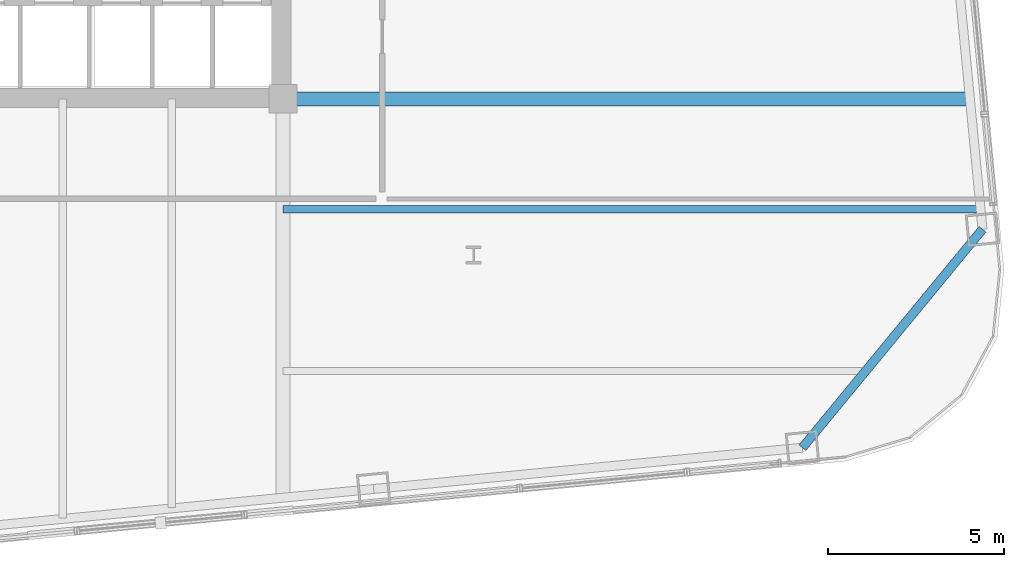
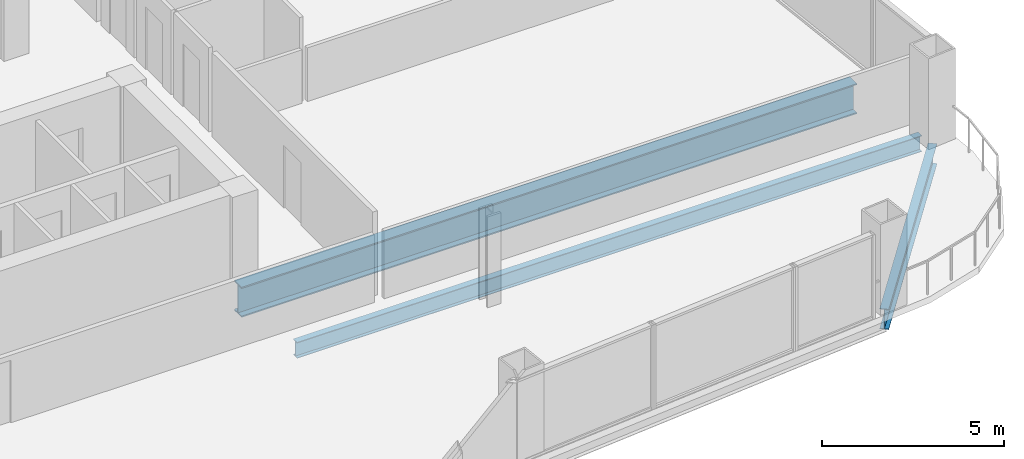
# One storey, part 10 of 27: 3 beams.
"""IFC4 building model written with IfcOpenShell, lengths in metres."""

from ifc_helpers import new_model, si_unit, direction, frame, origin, origin_2d, place, context, subcontext, project, spatial, i_section, extrude, material, material_profile, profile_set, type_object, element, save


model = new_model("IFC4")

# Units and contexts
model_context = context("Model", 3, precision=1e-05, world=origin(), true_north=direction((0.0, 1.0)))
body_context = subcontext(model_context, "Body", "Model", "MODEL_VIEW")
ifc_project = project(units=[si_unit("LENGTHUNIT", "METRE"), si_unit("AREAUNIT", "SQUARE_METRE"), si_unit("VOLUMEUNIT", "CUBIC_METRE"), si_unit("PLANEANGLEUNIT", "RADIAN"), si_unit("MASSUNIT", "GRAM", prefix="KILO")], contexts=[model_context])

# Site, building, storey
site_placement = place(None, origin())
site = spatial("IfcSite", under=ifc_project, at=site_placement, CompositionType="ELEMENT")
building_placement = place(site_placement, origin())
building = spatial("IfcBuilding", under=site, at=building_placement, Name="Qhalaya Broadcast Tower", CompositionType="ELEMENT")
storey_placement = place(building_placement, frame((0.0, 0.0, 75.550048828125)))
storey = spatial("IfcBuildingStorey", under=building, at=storey_placement, Name="L21", CompositionType="ELEMENT", Elevation=75.550048828125)

# Beams
ifc_material = material(Name="Structural Steel ASTM A992 Grade 50", Category="steel")
ifc_material_profile_1 = material_profile(ifc_material, i_section(OverallWidth=0.2099609375, OverallDepth=0.535888671875, WebThickness=0.010986328125, FlangeThickness=0.017333984375, at=origin_2d()), Name="W21X68")
ifc_profile_set_1 = profile_set([ifc_material_profile_1], Name="Structural Steel ASTM A992 Grade 50")
beam_type_1 = type_object("IfcBeamType", Name="Composite Floor Joist J02", PredefinedType="JOIST", material=ifc_profile_set_1)
beam_1_placement = place(storey_placement, frame((9.375, -11.89990234375, -0.488037109375), z_axis=(1.0, 0.0, 0.0), x_axis=(0.0, 1.0, 0.0)))
element("IfcBeam", 1, at=beam_1_placement, inside=storey, type_object=beam_type_1, Name="L21 J02 L21-JWE2E-1", PredefinedType="JOIST", context=body_context, shape_type="SweptSolid", body=[
    extrude(i_section(OverallWidth=0.2099609375, OverallDepth=0.535888671875, WebThickness=0.010986328125, FlangeThickness=0.017333984375, at=origin_2d()), origin(), (0.0, 0.0, 1.0), 19.843017578125),
])
ifc_material_profile_2 = material_profile(ifc_material, i_section(OverallWidth=0.40087890625, OverallDepth=1.010986328125, WebThickness=0.023681640625, FlangeThickness=0.0419921875, at=origin_2d()), Name="W40X297")
ifc_profile_set_2 = profile_set([ifc_material_profile_2], Name="Structural Steel ASTM A992 Grade 50")
beam_type_2 = type_object("IfcBeamType", Name="Lower Block Primary Girder PG2", PredefinedType="USERDEFINED", material=ifc_profile_set_2)
beam_2_placement = place(storey_placement, frame((9.375, -8.75, -0.7255859375), z_axis=(1.0, 0.0, 0.0), x_axis=(0.0, 1.0, 0.0)))
element("IfcBeam", 2, at=beam_2_placement, inside=storey, type_object=beam_type_2, Name="L21 PG2 L21-PGYE1-1", ObjectType="GIRDER", PredefinedType="USERDEFINED", context=body_context, shape_type="SweptSolid", body=[
    extrude(i_section(OverallWidth=0.40087890625, OverallDepth=1.010986328125, WebThickness=0.023681640625, FlangeThickness=0.0419921875, at=origin_2d()), origin(), (0.0, 0.0, 1.0), 19.539794921875),
])
ifc_material_profile_3 = material_profile(ifc_material, i_section(OverallWidth=0.25390625, OverallDepth=0.68310546875, WebThickness=0.012451171875, FlangeThickness=0.01904296875, at=origin_2d()), Name="W27X94")
ifc_profile_set_3 = profile_set([ifc_material_profile_3], Name="Structural Steel ASTM A992 Grade 50")
beam_type_3 = type_object("IfcBeamType", Name="Perimeter Ring Spandrel Beam SP1", PredefinedType="SPANDREL", material=ifc_profile_set_3)
beam_3_placement = place(storey_placement, frame((24.165283203125, -18.685546875, -0.5615234375), z_axis=(0.636052208619, 0.771646025008, 0.0), x_axis=(-0.771646025008, 0.636052208619, 0.0)))
element("IfcBeam", 3, at=beam_3_placement, inside=storey, type_object=beam_type_3, Name="L21 SP1 L21-SPR-04", PredefinedType="SPANDREL", context=body_context, shape_type="SweptSolid", body=[
    extrude(i_section(OverallWidth=0.25390625, OverallDepth=0.68310546875, WebThickness=0.012451171875, FlangeThickness=0.01904296875, at=origin_2d()), origin(), (0.0, 0.0, 1.0), 8.06103515625),
])

save(model, "model.ifc")
